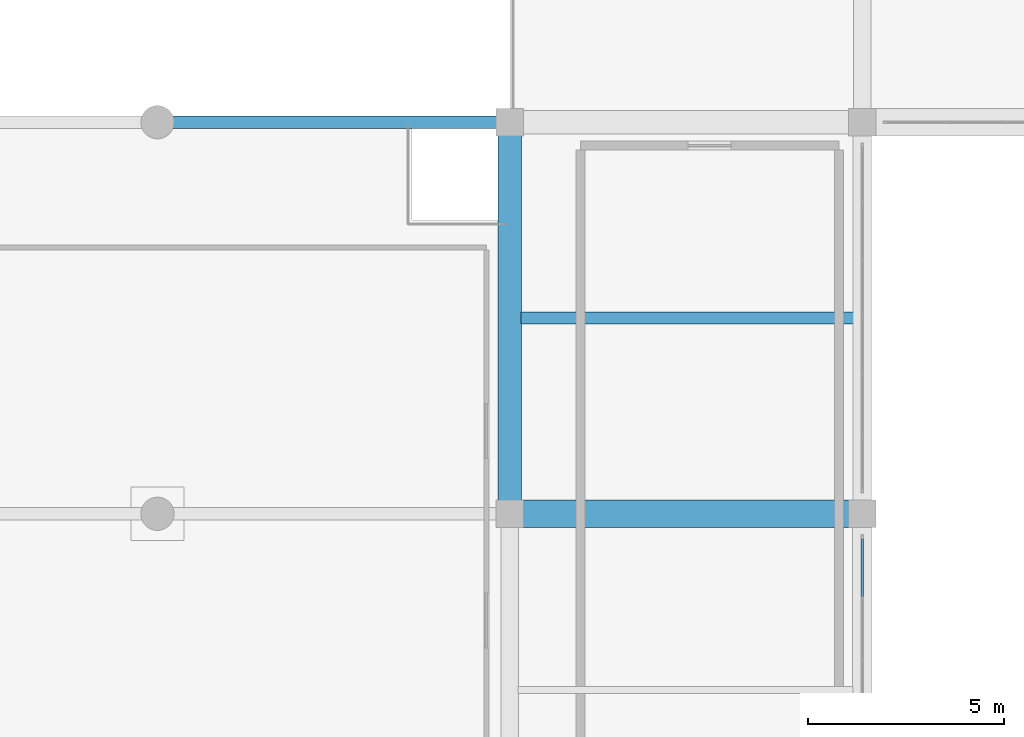
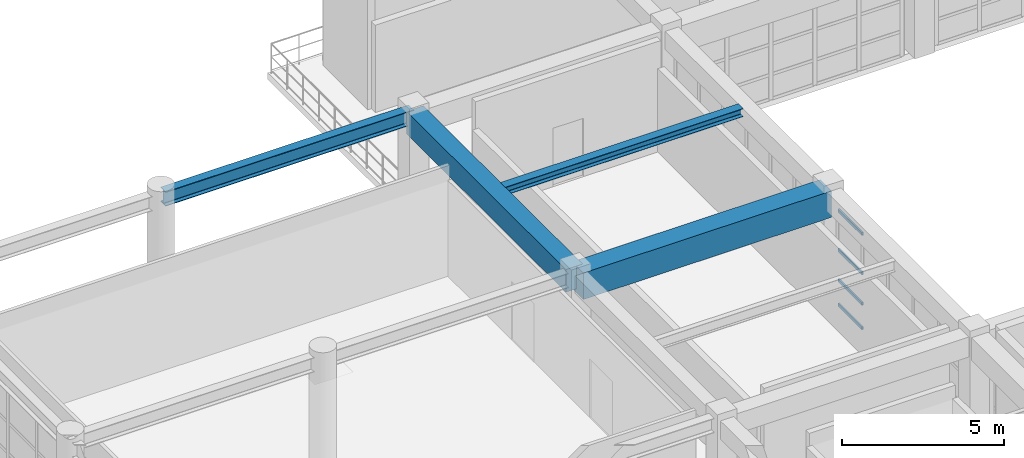
# One storey, part 24 of 133: 4 beams, 4 members, 1 element without a shape of its own.
"""IFC4 building model written with IfcOpenShell, lengths in metres."""

from ifc_helpers import new_model, si_unit, direction, frame, origin, origin_2d, place, context, subcontext, project, spatial, rectangle, hollow_rectangle, i_section, extrude, material, material_profile, profile_set, type_object, element, aggregate, save


model = new_model("IFC4")

# Units and contexts
model_context = context("Model", 3, precision=1e-05, world=origin(), true_north=direction((0.0, 1.0)))
body_context = subcontext(model_context, "Body", "Model", "MODEL_VIEW")
ifc_project = project(units=[si_unit("LENGTHUNIT", "METRE"), si_unit("AREAUNIT", "SQUARE_METRE"), si_unit("VOLUMEUNIT", "CUBIC_METRE"), si_unit("PLANEANGLEUNIT", "RADIAN"), si_unit("MASSUNIT", "GRAM", prefix="KILO")], contexts=[model_context])

# Site, building, storey
site_placement = place(None, origin())
site = spatial("IfcSite", under=ifc_project, at=site_placement, CompositionType="ELEMENT")
building_placement = place(site_placement, origin())
building = spatial("IfcBuilding", under=site, at=building_placement, Name="Miravela Opera House", CompositionType="ELEMENT")
storey_placement = place(building_placement, frame((0.0, 0.0, 5.10009765625)))
storey = spatial("IfcBuildingStorey", under=building, at=storey_placement, Name="L01", CompositionType="ELEMENT", Elevation=5.10009765625)

# Curtain wall, members
ifc_material_1 = material(Name="Anodised architectural bronze aluminium 6063-T6", Category="aluminium")
curtain_wall_type = type_object("IfcCurtainWallType", Name="ARC-CW-06", PredefinedType="NOTDEFINED", material=ifc_material_1)
curtain_wall_placement = place(storey_placement, origin())
curtain_wall = element("IfcCurtainWall", 1, at=curtain_wall_placement, inside=storey, type_object=curtain_wall_type, Name="Courtyard Arcade Curtain Wall CW-L01-132", PredefinedType="NOTDEFINED")
ifc_material_profile_1 = material_profile(ifc_material_1, hollow_rectangle(XDim=0.06005859375, YDim=0.114990234375, WallThickness=0.00390625, InnerFilletRadius=0.001953125, OuterFilletRadius=0.00390625, at=origin_2d()), Name="CWT-60X115")
ifc_profile_set_1 = profile_set([ifc_material_profile_1])
member_type = type_object("IfcMemberType", Name="ARC-CWT-115", PredefinedType="USERDEFINED", material=ifc_profile_set_1)
member_1_placement = place(storey_placement, frame((27.0, 15.882080078125, 0.02978515625), z_axis=(0.0, 1.0, 0.0), x_axis=(-1.0, 0.0, 0.0)))
member_1 = element("IfcMember", 2, at=member_1_placement, type_object=member_type, Name="CW-06 transom 5.1", ObjectType="TRANSOM", PredefinedType="USERDEFINED", context=body_context, shape_type="SweptSolid", body=[
    extrude(hollow_rectangle(XDim=0.06005859375, YDim=0.114990234375, WallThickness=0.00390625, InnerFilletRadius=0.001953125, OuterFilletRadius=0.00390625, at=origin_2d()), origin(), (0.0, 0.0, 1.0), 1.47802734375),
])
member_2_placement = place(storey_placement, frame((27.0, 15.882080078125, 0.949951171875), z_axis=(0.0, 1.0, 0.0), x_axis=(-1.0, 0.0, 0.0)))
member_2 = element("IfcMember", 3, at=member_2_placement, type_object=member_type, Name="CW-06 transom 5.2", ObjectType="TRANSOM", PredefinedType="USERDEFINED", context=body_context, shape_type="SweptSolid", body=[
    extrude(hollow_rectangle(XDim=0.06005859375, YDim=0.114990234375, WallThickness=0.00390625, InnerFilletRadius=0.001953125, OuterFilletRadius=0.00390625, at=origin_2d()), origin(), (0.0, 0.0, 1.0), 1.47802734375),
])
member_3_placement = place(storey_placement, frame((27.0, 15.882080078125, 2.09375), z_axis=(0.0, 1.0, 0.0), x_axis=(-1.0, 0.0, 0.0)))
member_3 = element("IfcMember", 4, at=member_3_placement, type_object=member_type, Name="CW-06 transom 5.3", ObjectType="TRANSOM", PredefinedType="USERDEFINED", context=body_context, shape_type="SweptSolid", body=[
    extrude(hollow_rectangle(XDim=0.06005859375, YDim=0.114990234375, WallThickness=0.00390625, InnerFilletRadius=0.001953125, OuterFilletRadius=0.00390625, at=origin_2d()), origin(), (0.0, 0.0, 1.0), 1.47802734375),
])
member_4_placement = place(storey_placement, frame((27.0, 15.882080078125, 3.579833984375), z_axis=(0.0, 1.0, 0.0), x_axis=(-1.0, 0.0, 0.0)))
member_4 = element("IfcMember", 5, at=member_4_placement, type_object=member_type, Name="CW-06 transom 5.4", ObjectType="TRANSOM", PredefinedType="USERDEFINED", context=body_context, shape_type="SweptSolid", body=[
    extrude(hollow_rectangle(XDim=0.06005859375, YDim=0.114990234375, WallThickness=0.00390625, InnerFilletRadius=0.001953125, OuterFilletRadius=0.00390625, at=origin_2d()), origin(), (0.0, 0.0, 1.0), 1.47802734375),
])
aggregate(curtain_wall, [member_1, member_2, member_3, member_4])

# Beams
ifc_material_2 = material(Name="Concrete C40/50", Category="concrete")
ifc_material_profile_2 = material_profile(ifc_material_2, rectangle(XDim=0.60009765625, YDim=0.85009765625, at=origin_2d()), Name="RC-BM-600X850")
ifc_profile_set_2 = profile_set([ifc_material_profile_2])
beam_type_1 = type_object("IfcBeamType", Name="STR-BM-RC600X850", PredefinedType="BEAM", material=ifc_profile_set_2)
beam_1_placement = place(storey_placement, frame((18.0, 18.080078125, 3.73486328125), z_axis=(0.0, 1.0, 0.0), x_axis=(-1.0, 0.0, 0.0)))
element("IfcBeam", 6, at=beam_1_placement, inside=storey, type_object=beam_type_1, Name="Floor Girder L01 3/C-D", PredefinedType="BEAM", context=body_context, shape_type="SweptSolid", body=[
    extrude(rectangle(XDim=0.60009765625, YDim=0.85009765625, at=origin_2d()), origin(), (0.0, 0.0, 1.0), 9.83984375),
])
ifc_material_profile_3 = material_profile(ifc_material_2, rectangle(XDim=0.699951171875, YDim=1.0, at=origin_2d()), Name="RC-BM-700X1000")
ifc_profile_set_3 = profile_set([ifc_material_profile_3])
beam_type_2 = type_object("IfcBeamType", Name="STR-BM-RC700X1000", PredefinedType="BEAM", material=ifc_profile_set_3)
beam_2_placement = place(storey_placement, frame((18.080078125, 18.0, 3.659912109375), z_axis=(1.0, 0.0, 0.0), x_axis=(0.0, 1.0, 0.0)))
element("IfcBeam", 7, at=beam_2_placement, inside=storey, type_object=beam_type_2, Name="Floor Girder L01 3-4/C", PredefinedType="BEAM", context=body_context, shape_type="SweptSolid", body=[
    extrude(rectangle(XDim=0.699951171875, YDim=1.0, at=origin_2d()), origin(), (0.0, 0.0, 1.0), 8.83984375),
])
ifc_material_3 = material(Name="Structural steel ASTM A992 Gr. 50", Category="steel")
ifc_material_profile_4 = material_profile(ifc_material_3, i_section(OverallWidth=0.304931640625, OverallDepth=0.30810546875, WebThickness=0.010009765625, FlangeThickness=0.015380859375, FilletRadius=0.013916015625, at=origin_2d()), Name="W310X97")
ifc_profile_set_4 = profile_set([ifc_material_profile_4])
beam_type_3 = type_object("IfcBeamType", Name="STR-BM-W310X97", PredefinedType="JOIST", material=ifc_profile_set_4)
beam_3_placement = place(storey_placement, frame((18.284912109375, 23.0, 4.005859375), z_axis=(1.0, 0.0, 0.0), x_axis=(0.0, 1.0, 0.0)))
element("IfcBeam", 8, at=beam_3_placement, inside=storey, type_object=beam_type_3, Name="Secondary Floor Joist L01 3-4/C-D", PredefinedType="JOIST", context=body_context, shape_type="SweptSolid", body=[
    extrude(i_section(OverallWidth=0.304931640625, OverallDepth=0.30810546875, WebThickness=0.010009765625, FlangeThickness=0.015380859375, FilletRadius=0.013916015625, at=origin_2d()), origin(), (0.0, 0.0, 1.0), 8.489990234375),
])
ifc_material_profile_5 = material_profile(ifc_material_3, i_section(OverallWidth=0.31201171875, OverallDepth=0.54296875, WebThickness=0.0126953125, FlangeThickness=0.020263671875, FilletRadius=0.01611328125, at=origin_2d()), Name="W530X150")
ifc_profile_set_5 = profile_set([ifc_material_profile_5])
beam_type_4 = type_object("IfcBeamType", Name="STR-BM-W530X150", PredefinedType="BEAM", material=ifc_profile_set_5)
beam_4_placement = place(storey_placement, frame((9.080078125, 28.0, 3.908447265625), z_axis=(1.0, 0.0, 0.0), x_axis=(0.0, 1.0, 0.0)))
element("IfcBeam", 9, at=beam_4_placement, inside=storey, type_object=beam_type_4, Name="Roof King-Post Transverse Tie Girder ROOF-V5-SOUTH T3.2", PredefinedType="BEAM", context=body_context, shape_type="SweptSolid", body=[
    extrude(i_section(OverallWidth=0.31201171875, OverallDepth=0.54296875, WebThickness=0.0126953125, FlangeThickness=0.020263671875, FilletRadius=0.01611328125, at=origin_2d()), origin(), (0.0, 0.0, 1.0), 8.83984375),
])

save(model, "model.ifc")
